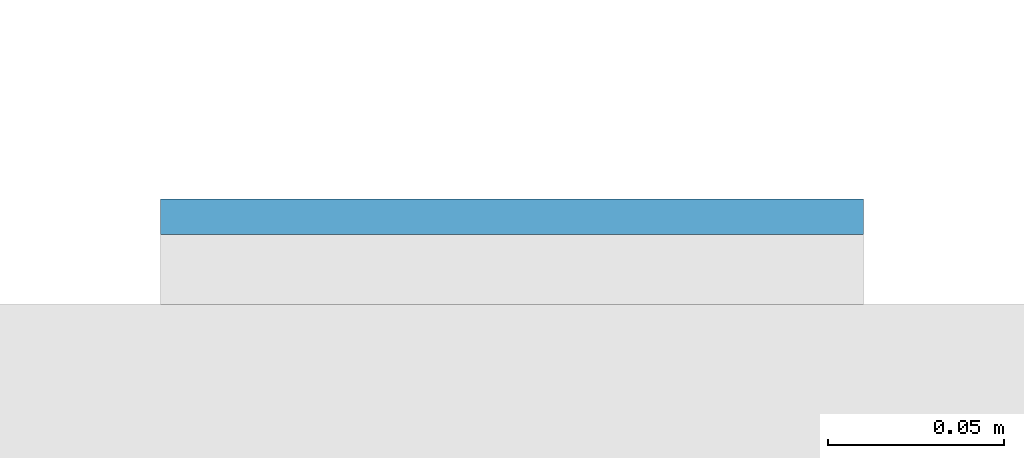
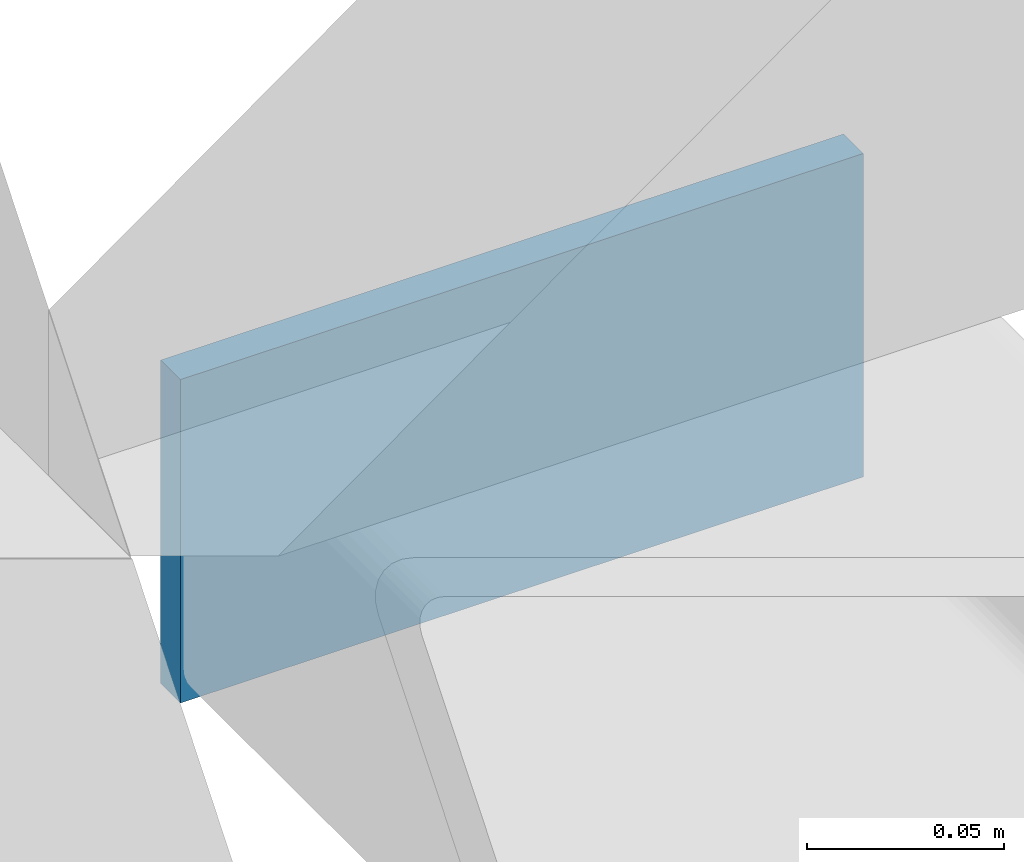
# One storey, part 8 of 15: 1 plate.
"""IFC4 building model written with IfcOpenShell, lengths in metres."""

import ifcopenshell
import ifcopenshell.guid

model = None  # the IFC model being written
_history = None  # IfcOwnerHistory: only IFC2X3 demands one
_inside = {}  # id of a spatial element -> (the spatial element, [elements in it])
_under = {}  # id of a project, library or spatial element -> (it, [spatial elements below it])
_declared = {}  # id of a project -> (the project, [libraries it declares])
_typed = {}  # id of a type object -> (the type object, [elements of that type])
_made_of = {}  # id of a material, layer set ... -> (it, [elements and type objects made of it])


def new_model(schema):
    """Start an empty IFC model of exactly this schema.

    Asked for "IFC4X3", IfcOpenShell would pick the latest addendum, in which some entities
    have other attributes; the version numbers below select the first issue.
    IFC2X3 requires an IfcOwnerHistory on every rooted entity: one is made here for all.
    """
    global model, _history
    if schema == "IFC4X3":
        model = ifcopenshell.file(schema_version=(4, 3, 0, 0))
    else:
        model = ifcopenshell.file(schema=schema)
    _inside.clear()
    _under.clear()
    _declared.clear()
    _typed.clear()
    _made_of.clear()
    _history = None
    if model.schema == "IFC2X3":
        org = make("IfcOrganization", Name="unknown")
        user = make(
            "IfcPersonAndOrganization",
            ThePerson=make("IfcPerson", FamilyName="unknown"),
            TheOrganization=org,
        )
        app = make(
            "IfcApplication",
            ApplicationDeveloper=org,
            Version="unknown",
            ApplicationFullName="unknown",
            ApplicationIdentifier="unknown",
        )
        _history = make(
            "IfcOwnerHistory",
            OwningUser=user,
            OwningApplication=app,
            ChangeAction="ADDED",
            CreationDate=0,
        )
    return model


def make(cls, **values):
    """One entity of the class cls with the attributes given. An attribute that is None is left unset."""
    return model.create_entity(
        cls, **{name: value for name, value in values.items() if value is not None}
    )


def rooted(cls, **values):
    """An entity with a GlobalId (a new one), such as an element, a storey or a relation."""
    return make(cls, GlobalId=ifcopenshell.guid.new(), OwnerHistory=_history, **values)


def si_unit(unit_type, name, prefix=None):
    """IfcSIUnit, for example si_unit("LENGTHUNIT", "METRE", prefix="MILLI")."""
    return make("IfcSIUnit", UnitType=unit_type, Prefix=prefix, Name=name)


def assignment(units):
    """IfcUnitAssignment: the units of a project."""
    return None if units is None else make("IfcUnitAssignment", Units=units)


def point(xyz):
    """IfcCartesianPoint."""
    return None if xyz is None else make("IfcCartesianPoint", Coordinates=xyz)


def direction(xyz):
    """IfcDirection."""
    return None if xyz is None else make("IfcDirection", DirectionRatios=xyz)


def frame(location, z_axis=None, x_axis=None):
    """IfcAxis2Placement3D, a coordinate frame: its origin and axes. An axis left out is left unset."""
    return make(
        "IfcAxis2Placement3D",
        Location=point(location),
        Axis=direction(z_axis),
        RefDirection=direction(x_axis),
    )


def frame_2d(location, x_axis=None):
    """IfcAxis2Placement2D, a coordinate frame in the plane: its origin and x axis."""
    return make(
        "IfcAxis2Placement2D", Location=point(location), RefDirection=direction(x_axis)
    )


def origin():
    """The frame at (0, 0, 0) with its axes left unset."""
    return frame((0.0, 0.0, 0.0))


def origin_2d():
    """The frame at (0, 0) in the plane with its x axis left unset."""
    return frame_2d((0.0, 0.0))


def place(relative_to, where):
    """IfcLocalPlacement: puts the frame where relative to a parent placement (None: the world)."""
    return make(
        "IfcLocalPlacement", PlacementRelTo=relative_to, RelativePlacement=where
    )


def context(
    kind, dimensions, precision=None, world=None, true_north=None, identifier=None
):
    """IfcGeometricRepresentationContext, for example the 3D "Model" context."""
    return make(
        "IfcGeometricRepresentationContext",
        ContextIdentifier=identifier,
        ContextType=kind,
        CoordinateSpaceDimension=dimensions,
        Precision=precision,
        WorldCoordinateSystem=world,
        TrueNorth=true_north,
    )


def subcontext(parent, identifier, kind, view, scale=None):
    """IfcGeometricRepresentationSubContext, for example "Body" below "Model"."""
    return make(
        "IfcGeometricRepresentationSubContext",
        ContextIdentifier=identifier,
        ContextType=kind,
        ParentContext=parent,
        TargetScale=scale,
        TargetView=view,
    )


def project(units=None, contexts=None):
    """IfcProject with its units and contexts."""
    return rooted(
        "IfcProject",
        Name="project",
        RepresentationContexts=contexts,
        UnitsInContext=assignment(units),
    )


def spatial(cls, under=None, at=None, **own):
    """A site, building, storey or space (cls), placed at a placement, below another one or the project."""
    s = rooted(cls, ObjectPlacement=at, **own)
    if under is not None:
        _under.setdefault(under.id(), (under, []))[1].append(s)
    return s


def profile(cls, at=None, kind="AREA", **sizes):
    """A parametric profile (cls). Its sizes go by their IFC names, for example OverallWidth=200.0."""
    return make(cls, ProfileType=kind, Position=at, **sizes)


def rectangle(**sizes):
    """IfcRectangleProfileDef."""
    return profile("IfcRectangleProfileDef", **sizes)


def extrude(swept, where, along, depth):
    """IfcExtrudedAreaSolid: the profile swept, set in the frame where, extruded along a direction by depth."""
    return make(
        "IfcExtrudedAreaSolid",
        SweptArea=swept,
        Position=where,
        ExtrudedDirection=direction(along),
        Depth=depth,
    )


def shape(context_of_items, identifier, shape_type, items):
    """IfcShapeRepresentation: the items that make up one representation, for example the "Body"."""
    return make(
        "IfcShapeRepresentation",
        ContextOfItems=context_of_items,
        RepresentationIdentifier=identifier,
        RepresentationType=shape_type,
        Items=items,
    )


def material(Name=None, Category=None):
    """IfcMaterial."""
    return make("IfcMaterial", Name=Name, Category=Category)


def layer(
    of_material, thickness, ventilated=None, Name=None, Category=None, Priority=None
):
    """IfcMaterialLayer: one layer of a wall or slab, of a material (None: an air gap)."""
    return make(
        "IfcMaterialLayer",
        Material=of_material,
        LayerThickness=thickness,
        IsVentilated=ventilated,
        Name=Name,
        Category=Category,
        Priority=Priority,
    )


def layer_set(layers, Name=None):
    """IfcMaterialLayerSet."""
    return make("IfcMaterialLayerSet", MaterialLayers=layers, LayerSetName=Name)


def made_of(thing, what):
    """Note that an element or type object is made of a material, layer set ...; save() writes the relation."""
    if what is not None:
        _made_of.setdefault(what.id(), (what, []))[1].append(thing)
    return thing


def type_object(cls, material=None, **own):
    """A type object (cls), such as IfcWallType, which elements share."""
    return made_of(rooted(cls, **own), material)


def element(
    cls,
    number,
    at=None,
    inside=None,
    cuts=None,
    type_object=None,
    material=None,
    context=None,
    identifier="Body",
    shape_type=None,
    held_by="IfcProductDefinitionShape",
    body=None,
    shapes=None,
    **own,
):
    """One element of the class cls, such as IfcWall. Its Tag is "e" and its number.

    at: its placement. inside: the storey or other place that contains it. cuts: it is an
    opening in that element (IfcRelVoidsElement). A single representation is given by context,
    identifier, shape_type and body (its items); several are given by shapes. held_by: the class
    of the entity that holds the representations. save() writes the other relations.
    """
    e = rooted(cls, Tag="e%d" % number, ObjectPlacement=at, **own)
    if body is not None:
        shapes = [shape(context, identifier, shape_type, body)]
    if shapes is not None:
        e.Representation = make(held_by, Representations=shapes)
    if inside is not None:
        _inside.setdefault(inside.id(), (inside, []))[1].append(e)
    if cuts is not None:
        rooted(
            "IfcRelVoidsElement", RelatingBuildingElement=cuts, RelatedOpeningElement=e
        )
    if type_object is not None:
        _typed.setdefault(type_object.id(), (type_object, []))[1].append(e)
    return made_of(e, material)


def aggregate(whole, parts):
    """IfcRelAggregates: a whole, such as a stair, and the parts it consists of."""
    return rooted("IfcRelAggregates", RelatingObject=whole, RelatedObjects=parts)


def save(model, path):
    """Write the relations noted so far, then the file.

    IfcRelAggregates (storeys below a building ...), IfcRelContainedInSpatialStructure (elements
    in a storey), IfcRelDefinesByType, IfcRelAssociatesMaterial and IfcRelDeclares: one each for
    every whole, place, type object, material and project.
    """
    for whole, parts in _under.values():
        aggregate(whole, parts)
    for where, things in _inside.values():
        rooted(
            "IfcRelContainedInSpatialStructure",
            RelatedElements=things,
            RelatingStructure=where,
        )
    for kind, things in _typed.values():
        rooted("IfcRelDefinesByType", RelatedObjects=things, RelatingType=kind)
    for what, things in _made_of.values():
        rooted("IfcRelAssociatesMaterial", RelatedObjects=things, RelatingMaterial=what)
    for by, libraries in _declared.values():
        rooted("IfcRelDeclares", RelatingContext=by, RelatedDefinitions=libraries)
    model.write(path)


model = new_model("IFC4")

# Units and contexts
model_context = context("Model", 3, precision=1e-05, world=origin(), true_north=direction((0.0, 1.0)))
body_context = subcontext(model_context, "Body", "Model", "MODEL_VIEW")
ifc_project = project(units=[si_unit("LENGTHUNIT", "METRE"), si_unit("AREAUNIT", "SQUARE_METRE"), si_unit("VOLUMEUNIT", "CUBIC_METRE"), si_unit("PLANEANGLEUNIT", "RADIAN"), si_unit("MASSUNIT", "GRAM", prefix="KILO")], contexts=[model_context])

# Site, building, storey
site_placement = place(None, origin())
site = spatial("IfcSite", under=ifc_project, at=site_placement, CompositionType="ELEMENT")
building_placement = place(site_placement, origin())
building = spatial("IfcBuilding", under=site, at=building_placement, Name="Cleftline Residences", CompositionType="ELEMENT")
storey_placement = place(building_placement, frame((0.0, 0.0, 221.800048828125)))
storey = spatial("IfcBuildingStorey", under=building, at=storey_placement, Name="L58", CompositionType="ELEMENT", Elevation=221.800048828125)

# Plate
ifc_material = material(Name="Steel S355, hot-dip galvanised", Category="steel")
ifc_layer = layer(ifc_material, 0.010009765625)
ifc_layer_set = layer_set([ifc_layer], Name="BAGUETTE CARRIER END PLATE 200X100X10")
plate_type = type_object("IfcPlateType", Name="BAGUETTE CARRIER END PLATE 200X100X10", PredefinedType="USERDEFINED", material=ifc_layer_set)
plate_placement = place(storey_placement, frame((66.85009765625, 44.304931640625, -0.10009765625), z_axis=(0.0, 0.0, 1.0), x_axis=(1.0, 0.0, 0.0)))
element("IfcPlate", 1, at=plate_placement, inside=storey, type_object=plate_type, Name="Baguette carrier end plate", ObjectType="BAGUETTE CARRIER END PLATE", PredefinedType="USERDEFINED", context=body_context, shape_type="SweptSolid", body=[
    extrude(rectangle(XDim=0.199951171875, YDim=0.010009765625, at=origin_2d()), origin(), (0.0, 0.0, 1.0), 0.10009765625),
])

save(model, "model.ifc")
